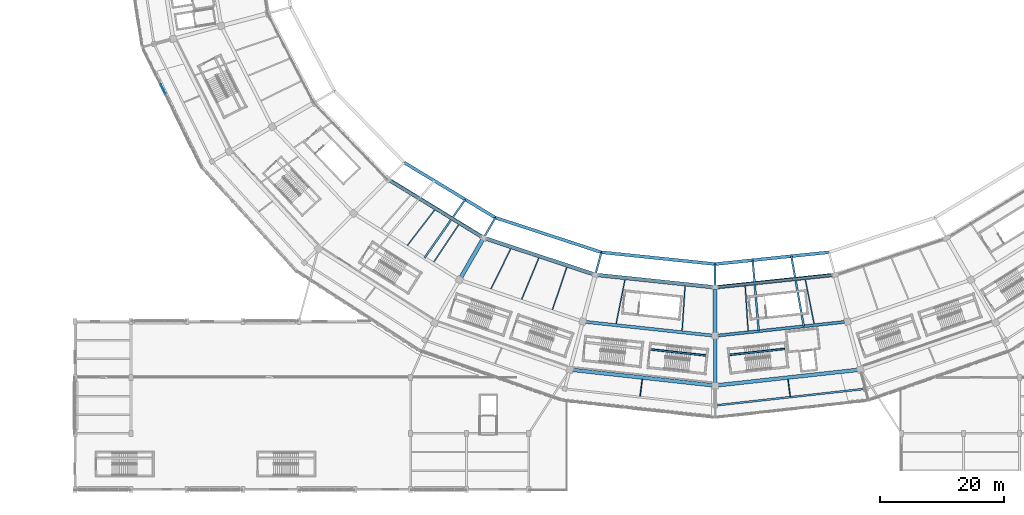
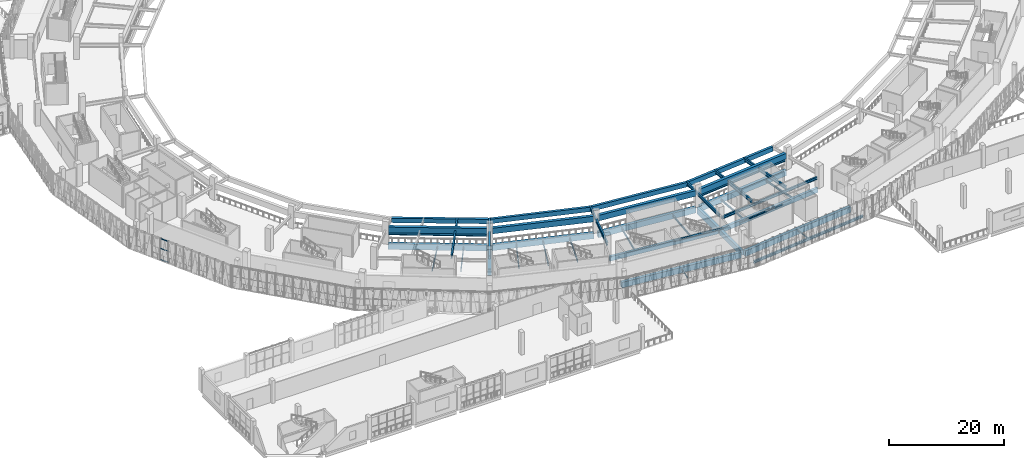
# One storey, part 18 of 179: 42 beams, 3 members, 1 element without a shape of its own.
"""IFC4 building model written with IfcOpenShell, lengths in metres."""

from ifc_helpers import new_model, si_unit, direction, frame, origin, origin_2d, place, context, subcontext, project, spatial, rectangle, i_section, extrude, material, material_profile, profile_set, type_object, element, aggregate, save


model = new_model("IFC4")

# Units and contexts
model_context = context("Model", 3, precision=1e-05, world=origin(), true_north=direction((0.0, 1.0)))
body_context = subcontext(model_context, "Body", "Model", "MODEL_VIEW")
ifc_project = project(units=[si_unit("LENGTHUNIT", "METRE"), si_unit("AREAUNIT", "SQUARE_METRE"), si_unit("VOLUMEUNIT", "CUBIC_METRE"), si_unit("PLANEANGLEUNIT", "RADIAN"), si_unit("MASSUNIT", "GRAM", prefix="KILO")], contexts=[model_context])

# Site, building, storey
site_placement = place(None, origin())
site = spatial("IfcSite", under=ifc_project, at=site_placement, CompositionType="ELEMENT")
building_placement = place(site_placement, origin())
building = spatial("IfcBuilding", under=site, at=building_placement, Name="Zevraka Park Crest Stadium", CompositionType="ELEMENT")
storey_placement = place(building_placement, frame((0.0, 0.0, 10.199951171875)))
storey = spatial("IfcBuildingStorey", under=building, at=storey_placement, Name="L02", CompositionType="ELEMENT", Elevation=10.199951171875)

# Beams
ifc_material_1 = material(Name="Concrete C40/50", Category="concrete")
ifc_material_profile_1 = material_profile(ifc_material_1, rectangle(XDim=0.64990234375, YDim=1.35009765625, at=origin_2d()), Name="RC 1350x650")
ifc_profile_set_1 = profile_set([ifc_material_profile_1], Name="Concrete C40/50")
beam_type_1 = type_object("IfcBeamType", Name="BG01", PredefinedType="BEAM", material=ifc_profile_set_1)
beam_1_placement = place(storey_placement, frame((74.60009765625, 40.2109375, -0.68505859375), z_axis=(-0.500041424909, -0.866001485781, 0.0), x_axis=(0.866001485781, -0.500041424909, 0.0)))
element("IfcBeam", 1, at=beam_1_placement, inside=storey, type_object=beam_type_1, Name="Radial Girder BG01 L02-BC-16", PredefinedType="BEAM", context=body_context, shape_type="SweptSolid", body=[
    extrude(rectangle(XDim=0.64990234375, YDim=1.35009765625, at=origin_2d()), origin(), (0.0, 0.0, 1.0), 7.19970703125),
])
beam_2_placement = place(storey_placement, frame((112.0, 32.199951171875, -0.68505859375), z_axis=(0.0, -1.0, 0.0), x_axis=(1.0, 0.0, 0.0)))
element("IfcBeam", 2, at=beam_2_placement, inside=storey, type_object=beam_type_1, Name="Radial Girder BG01 L02-BC-18", PredefinedType="BEAM", context=body_context, shape_type="SweptSolid", body=[
    extrude(rectangle(XDim=0.64990234375, YDim=1.35009765625, at=origin_2d()), origin(), (0.0, 0.0, 1.0), 7.199951171875),
])
ifc_material_2 = material(Name="Concrete C40/50", Category="concrete")
ifc_material_profile_2 = material_profile(ifc_material_2, rectangle(XDim=0.550048828125, YDim=1.10009765625, at=origin_2d()), Name="RC 1100x550")
ifc_profile_set_2 = profile_set([ifc_material_profile_2], Name="Concrete C40/50")
beam_type_2 = type_object("IfcBeamType", Name="BG02", PredefinedType="BEAM", material=ifc_profile_set_2)
beam_3_placement = place(storey_placement, frame((112.0, 24.39990234375, -0.56005859375), z_axis=(0.0, -1.0, 0.0), x_axis=(1.0, 0.0, 0.0)))
element("IfcBeam", 3, at=beam_3_placement, inside=storey, type_object=beam_type_2, Name="Radial Girder BG02 L02-CD-18", PredefinedType="BEAM", context=body_context, shape_type="SweptSolid", body=[
    extrude(rectangle(XDim=0.550048828125, YDim=1.10009765625, at=origin_2d()), origin(), (0.0, 0.0, 1.0), 7.39990234375),
])
ifc_material_3 = material(Name="Steel S355", Category="steel")
ifc_material_profile_3 = material_profile(ifc_material_3, i_section(OverallWidth=0.300048828125, OverallDepth=0.699951171875, WebThickness=0.01708984375, FlangeThickness=0.031982421875, at=origin_2d()), Name="HEB 700")
ifc_profile_set_3 = profile_set([ifc_material_profile_3], Name="Steel S355")
beam_type_3 = type_object("IfcBeamType", Name="BG06", PredefinedType="BEAM", material=ifc_profile_set_3)
beam_4_placement = place(storey_placement, frame((65.22509765625, 37.24609375, 2.670166015625), z_axis=(0.572704517581, 0.819761877341, 0.0), x_axis=(-0.819761877341, 0.572704517581, 0.0)))
element("IfcBeam", 4, at=beam_4_placement, inside=storey, type_object=beam_type_3, Name="Upper Tier Vomitory Cantilever Girder BG06 15-V2", PredefinedType="BEAM", context=body_context, shape_type="SweptSolid", body=[
    extrude(i_section(OverallWidth=0.300048828125, OverallDepth=0.699951171875, WebThickness=0.01708984375, FlangeThickness=0.031982421875, at=origin_2d()), origin(), (0.0, 0.0, 1.0), 11.463134765625),
])
beam_5_placement = place(storey_placement, frame((70.85009765625, 33.716064453125, 2.670166015625), z_axis=(0.499981051965, 0.866036343161, 0.0), x_axis=(-0.866036343161, 0.499981051965, 0.0)))
element("IfcBeam", 5, at=beam_5_placement, inside=storey, type_object=beam_type_3, Name="Upper Tier Back-Spanned Cantilever Girder BG06 16", PredefinedType="BEAM", context=body_context, shape_type="SweptSolid", body=[
    extrude(i_section(OverallWidth=0.300048828125, OverallDepth=0.699951171875, WebThickness=0.01708984375, FlangeThickness=0.031982421875, at=origin_2d()), origin(), (0.0, 0.0, 1.0), 11.55029296875),
])
beam_6_placement = place(storey_placement, frame((90.698974609375, 26.992919921875, 2.670166015625), z_axis=(0.258858286006, 0.965915310866, 0.0), x_axis=(-0.965915310866, 0.258858286006, 0.0)))
element("IfcBeam", 6, at=beam_6_placement, inside=storey, type_object=beam_type_3, Name="Upper Tier Back-Spanned Cantilever Girder BG06 17", PredefinedType="BEAM", context=body_context, shape_type="SweptSolid", body=[
    extrude(i_section(OverallWidth=0.300048828125, OverallDepth=0.699951171875, WebThickness=0.01708984375, FlangeThickness=0.031982421875, at=origin_2d()), origin(), (0.0, 0.0, 1.0), 11.55078125),
])
beam_7_placement = place(storey_placement, frame((112.0, 24.699951171875, 2.670166015625), z_axis=(0.0, 1.0, 0.0), x_axis=(-1.0, 0.0, 0.0)))
element("IfcBeam", 7, at=beam_7_placement, inside=storey, type_object=beam_type_3, Name="Upper Tier Back-Spanned Cantilever Girder BG06 18", PredefinedType="BEAM", context=body_context, shape_type="SweptSolid", body=[
    extrude(i_section(OverallWidth=0.300048828125, OverallDepth=0.699951171875, WebThickness=0.01708984375, FlangeThickness=0.031982421875, at=origin_2d()), origin(), (0.0, 0.0, 1.0), 11.550048828125),
])
beam_8_placement = place(storey_placement, frame((119.029052734375, 25.45703125, 2.670166015625), z_axis=(-0.086027587619, 0.996292755252, 0.0), x_axis=(-0.996292755252, -0.086027587619, 0.0)))
element("IfcBeam", 8, at=beam_8_placement, inside=storey, type_object=beam_type_3, Name="Upper Tier Vomitory Cantilever Girder BG06 18-V1", PredefinedType="BEAM", context=body_context, shape_type="SweptSolid", body=[
    extrude(i_section(OverallWidth=0.300048828125, OverallDepth=0.699951171875, WebThickness=0.01708984375, FlangeThickness=0.031982421875, at=origin_2d()), origin(), (0.0, 0.0, 1.0), 11.46240234375),
])
beam_9_placement = place(storey_placement, frame((126.27197265625, 26.236083984375, 2.670166015625), z_axis=(-0.174809447022, 0.984602283784, 0.0), x_axis=(-0.984602283784, -0.174809447022, 0.0)))
element("IfcBeam", 9, at=beam_9_placement, inside=storey, type_object=beam_type_3, Name="Upper Tier Vomitory Cantilever Girder BG06 18-V2", PredefinedType="BEAM", context=body_context, shape_type="SweptSolid", body=[
    extrude(i_section(OverallWidth=0.300048828125, OverallDepth=0.699951171875, WebThickness=0.01708984375, FlangeThickness=0.031982421875, at=origin_2d()), origin(), (0.0, 0.0, 1.0), 11.46337890625),
])

# Curtain wall, members
ifc_material_4 = material(Name="Anodised architectural aluminium and laminated safety glass", Category="aluminium")
curtain_wall_type = type_object("IfcCurtainWallType", Name="CW07", PredefinedType="NOTDEFINED", material=ifc_material_4)
curtain_wall_placement = place(storey_placement, origin())
curtain_wall = element("IfcCurtainWall", 10, at=curtain_wall_placement, inside=storey, type_object=curtain_wall_type, Name="Unitised Ring Curtain Wall CW07 L02-13", PredefinedType="NOTDEFINED")
ifc_material_5 = material(Name="Anodised architectural aluminium", Category="aluminium")
ifc_material_profile_4 = material_profile(ifc_material_5, rectangle(XDim=0.1201171875, YDim=0.06005859375, at=origin_2d()), Name="ALU TRANSOM 120x60")
ifc_profile_set_4 = profile_set([ifc_material_profile_4], Name="Anodised architectural aluminium")
member_type = type_object("IfcMemberType", Name="CT01", PredefinedType="USERDEFINED", material=ifc_profile_set_4)
member_1_placement = place(storey_placement, frame((22.798828125, 65.1513671875, 0.030029296875), z_axis=(0.440969299006, -0.897522187656, 0.0), x_axis=(0.897522187656, 0.440969299006, 0.0)))
member_1 = element("IfcMember", 11, at=member_1_placement, type_object=member_type, Name="CW07 transom 5.1", ObjectType="TRANSOM", PredefinedType="USERDEFINED", context=body_context, shape_type="SweptSolid", body=[
    extrude(rectangle(XDim=0.1201171875, YDim=0.06005859375, at=origin_2d()), origin(), (0.0, 0.0, 1.0), 1.582275390625),
])
member_2_placement = place(storey_placement, frame((22.798828125, 65.1513671875, 2.400146484375), z_axis=(0.440969299006, -0.897522187656, 0.0), x_axis=(0.897522187656, 0.440969299006, 0.0)))
member_2 = element("IfcMember", 12, at=member_2_placement, type_object=member_type, Name="CW07 transom 5.2", ObjectType="TRANSOM", PredefinedType="USERDEFINED", context=body_context, shape_type="SweptSolid", body=[
    extrude(rectangle(XDim=0.1201171875, YDim=0.06005859375, at=origin_2d()), origin(), (0.0, 0.0, 1.0), 1.582275390625),
])
member_3_placement = place(storey_placement, frame((22.798828125, 65.1513671875, 4.469970703125), z_axis=(0.440969299006, -0.897522187656, 0.0), x_axis=(0.897522187656, 0.440969299006, 0.0)))
member_3 = element("IfcMember", 13, at=member_3_placement, type_object=member_type, Name="CW07 transom 5.3", ObjectType="TRANSOM", PredefinedType="USERDEFINED", context=body_context, shape_type="SweptSolid", body=[
    extrude(rectangle(XDim=0.1201171875, YDim=0.06005859375, at=origin_2d()), origin(), (0.0, 0.0, 1.0), 1.582275390625),
])
aggregate(curtain_wall, [member_1, member_2, member_3])

# Beams
ifc_material_6 = material(Name="Concrete C40/50", Category="concrete")
ifc_material_profile_5 = material_profile(ifc_material_6, rectangle(XDim=0.60009765625, YDim=1.199951171875, at=origin_2d()), Name="RC 1200x600")
ifc_profile_set_5 = profile_set([ifc_material_profile_5], Name="Concrete C40/50")
beam_type_4 = type_object("IfcBeamType", Name="RB01", PredefinedType="BEAM", material=ifc_profile_set_5)
beam_10_placement = place(storey_placement, frame((59.64501953125, 49.72802734375, -0.60986328125), z_axis=(0.852632623571, -0.522510869956, 0.0), x_axis=(0.522510869956, 0.852632623571, 0.0)))
element("IfcBeam", 14, at=beam_10_placement, inside=storey, type_object=beam_type_4, Name="Ring Beam RB01 L02-B-15", PredefinedType="BEAM", context=body_context, shape_type="SweptSolid", body=[
    extrude(rectangle(XDim=0.60009765625, YDim=1.199951171875, at=origin_2d()), origin(), (0.0, 0.0, 1.0), 17.335693359375),
])
beam_11_placement = place(storey_placement, frame((75.111083984375, 40.35205078125, -0.60986328125), z_axis=(0.949383863235, -0.314118258349, 0.0), x_axis=(0.314118258349, 0.949383863235, 0.0)))
element("IfcBeam", 15, at=beam_11_placement, inside=storey, type_object=beam_type_4, Name="Ring Beam RB01 L02-B-16", PredefinedType="BEAM", context=body_context, shape_type="SweptSolid", body=[
    extrude(rectangle(XDim=0.60009765625, YDim=1.199951171875, at=origin_2d()), origin(), (0.0, 0.0, 1.0), 18.165283203125),
])
beam_12_placement = place(storey_placement, frame((93.095947265625, 34.487060546875, -0.60986328125), z_axis=(0.994522746434, -0.1045203656, 0.0), x_axis=(0.1045203656, 0.994522746434, 0.0)))
element("IfcBeam", 16, at=beam_12_placement, inside=storey, type_object=beam_type_4, Name="Ring Beam RB01 L02-B-17", PredefinedType="BEAM", context=body_context, shape_type="SweptSolid", body=[
    extrude(rectangle(XDim=0.60009765625, YDim=1.199951171875, at=origin_2d()), origin(), (0.0, 0.0, 1.0), 18.628173828125),
])
beam_13_placement = place(storey_placement, frame((89.007080078125, 19.22509765625, -0.60986328125), z_axis=(0.994021150509, -0.109187693174, 0.0), x_axis=(0.109187693174, 0.994021150509, 0.0)))
element("IfcBeam", 17, at=beam_13_placement, inside=storey, type_object=beam_type_4, Name="Ring Beam RB01 L02-D-17", PredefinedType="BEAM", context=body_context, shape_type="SweptSolid", body=[
    extrude(rectangle(XDim=0.60009765625, YDim=1.199951171875, at=origin_2d()), origin(), (0.0, 0.0, 1.0), 22.7509765625),
])
beam_14_placement = place(storey_placement, frame((112.3779296875, 32.5400390625, -0.60986328125), z_axis=(0.994522746434, 0.1045203656, 0.0), x_axis=(-0.1045203656, 0.994522746434, 0.0)))
element("IfcBeam", 18, at=beam_14_placement, inside=storey, type_object=beam_type_4, Name="Ring Beam RB01 L02-B-18", PredefinedType="BEAM", context=body_context, shape_type="SweptSolid", body=[
    extrude(rectangle(XDim=0.60009765625, YDim=1.199951171875, at=origin_2d()), origin(), (0.0, 0.0, 1.0), 18.628173828125),
])
beam_15_placement = place(storey_placement, frame((112.3779296875, 16.740966796875, -0.60986328125), z_axis=(0.994021150509, 0.109187693174, 0.0), x_axis=(-0.109187693174, 0.994021150509, 0.0)))
element("IfcBeam", 19, at=beam_15_placement, inside=storey, type_object=beam_type_4, Name="Ring Beam RB01 L02-D-18", PredefinedType="BEAM", context=body_context, shape_type="SweptSolid", body=[
    extrude(rectangle(XDim=0.60009765625, YDim=1.199951171875, at=origin_2d()), origin(), (0.0, 0.0, 1.0), 22.7509765625),
])
beam_16_placement = place(storey_placement, frame((59.678955078125, 49.7080078125, 2.965087890625), z_axis=(0.852592509161, -0.522576322964, 0.0), x_axis=(0.522576322964, 0.852592509161, 0.0)))
element("IfcBeam", 20, at=beam_16_placement, inside=storey, type_object=beam_type_4, Name="Upper Tier Fulcrum Raker Ring Beam RB01 15", PredefinedType="BEAM", context=body_context, shape_type="SweptSolid", body=[
    extrude(rectangle(XDim=0.60009765625, YDim=1.199951171875, at=origin_2d()), origin(), (0.0, 0.0, 1.0), 17.2568359375),
])
beam_17_placement = place(storey_placement, frame((75.14892578125, 40.339111328125, 2.965087890625), z_axis=(0.949397677667, -0.314076502845, 0.0), x_axis=(0.314076502845, 0.949397677667, 0.0)))
element("IfcBeam", 21, at=beam_17_placement, inside=storey, type_object=beam_type_4, Name="Upper Tier Fulcrum Raker Ring Beam RB01 16", PredefinedType="BEAM", context=body_context, shape_type="SweptSolid", body=[
    extrude(rectangle(XDim=0.60009765625, YDim=1.199951171875, at=origin_2d()), origin(), (0.0, 0.0, 1.0), 18.085205078125),
])
for number, where, z_axis, x_axis, name in (
    (22, (93.135986328125, 34.48291015625, 2.965087890625), (0.994520732881, -0.104539523004, 0.0), (0.104539523004, 0.994520732881, 0.0), "Upper Tier Fulcrum Raker Ring Beam RB01 17"),
    (23, (112.41796875, 32.5439453125, 2.965087890625), (0.994520732881, 0.104539523004, 0.0), (-0.104539523004, 0.994520732881, 0.0), "Upper Tier Fulcrum Raker Ring Beam RB01 18"),
):
    element("IfcBeam", number, at=place(storey_placement, frame(where, z_axis=z_axis, x_axis=x_axis)), inside=storey, type_object=beam_type_4, Name=name, PredefinedType="BEAM", context=body_context, shape_type="SweptSolid", body=[
        extrude(rectangle(XDim=0.60009765625, YDim=1.199951171875, at=origin_2d()), origin(), (0.0, 0.0, 1.0), 18.547607421875),
    ])
ifc_material_7 = material(Name="Concrete C40/50", Category="concrete")
ifc_material_profile_6 = material_profile(ifc_material_7, rectangle(XDim=0.5, YDim=0.949951171875, at=origin_2d()), Name="RC 950x500")
ifc_profile_set_6 = profile_set([ifc_material_profile_6], Name="Concrete C40/50")
beam_type_5 = type_object("IfcBeamType", Name="RB02", PredefinedType="BEAM", material=ifc_profile_set_6)
for number, where, z_axis, x_axis, name in (
    (24, (91.076904296875, 26.951904296875, -0.48486328125), (0.994259477334, -0.106995755668, 0.0), (0.106995755668, 0.994259477334, 0.0), "Ring Beam RB02 L02-C-17"),
    (25, (112.3779296875, 24.740966796875, -0.48486328125), (0.994259477334, 0.106995755668, 0.0), (-0.106995755668, 0.994259477334, 0.0), "Ring Beam RB02 L02-C-18"),
):
    element("IfcBeam", number, at=place(storey_placement, frame(where, z_axis=z_axis, x_axis=x_axis)), inside=storey, type_object=beam_type_5, Name=name, PredefinedType="BEAM", context=body_context, shape_type="SweptSolid", body=[
        extrude(rectangle(XDim=0.5, YDim=0.949951171875, at=origin_2d()), origin(), (0.0, 0.0, 1.0), 20.663818359375),
    ])
beam_18_placement = place(storey_placement, frame((61.98095703125, 52.573974609375, 2.400146484375), z_axis=(0.85571184536, -0.517452642964, 0.0), x_axis=(0.517452642964, 0.85571184536, 0.0)))
element("IfcBeam", 26, at=beam_18_placement, inside=storey, type_object=beam_type_5, Name="Upper Tier Front Nose Ring Beam RB02 15", PredefinedType="BEAM", context=body_context, shape_type="SweptSolid", body=[
    extrude(rectangle(XDim=0.5, YDim=0.949951171875, at=origin_2d()), origin(), (0.0, 0.0, 1.0), 17.102783203125),
])
beam_19_placement = place(storey_placement, frame((76.635009765625, 43.716064453125, 2.400146484375), z_axis=(0.950644645156, -0.31028174074, 0.0), x_axis=(0.31028174074, 0.950644645156, 0.0)))
element("IfcBeam", 27, at=beam_19_placement, inside=storey, type_object=beam_type_5, Name="Upper Tier Front Nose Ring Beam RB02 16", PredefinedType="BEAM", context=body_context, shape_type="SweptSolid", body=[
    extrude(rectangle(XDim=0.5, YDim=0.949951171875, at=origin_2d()), origin(), (0.0, 0.0, 1.0), 17.9287109375),
])
for number, where, z_axis, x_axis, name in (
    (28, (93.698974609375, 38.14892578125, 2.400146484375), (0.994659601054, -0.103209873713, 0.0), (0.103209873713, 0.994659601054, 0.0), "Upper Tier Front Nose Ring Beam RB02 17"),
    (29, (112.010009765625, 36.2509765625, 2.400146484375), (0.994659601054, 0.103209873713, 0.0), (-0.103209873713, 0.994659601054, 0.0), "Upper Tier Front Nose Ring Beam RB02 18"),
):
    element("IfcBeam", number, at=place(storey_placement, frame(where, z_axis=z_axis, x_axis=x_axis)), inside=storey, type_object=beam_type_5, Name=name, PredefinedType="BEAM", context=body_context, shape_type="SweptSolid", body=[
        extrude(rectangle(XDim=0.5, YDim=0.949951171875, at=origin_2d()), origin(), (0.0, 0.0, 1.0), 18.38916015625),
    ])
ifc_material_8 = material(Name="Steel S355", Category="steel")
ifc_material_profile_7 = material_profile(ifc_material_8, i_section(OverallWidth=0.300048828125, OverallDepth=0.550048828125, WebThickness=0.014892578125, FlangeThickness=0.029052734375, at=origin_2d()), Name="HEB 550")
ifc_profile_set_7 = profile_set([ifc_material_profile_7], Name="Steel S355")
beam_type_6 = type_object("IfcBeamType", Name="RB04", PredefinedType="BEAM", material=ifc_profile_set_7)
beam_20_placement = place(storey_placement, frame((112.347900390625, 13.5380859375, -0.5849609375), z_axis=(0.993942516724, 0.109901198576, 0.0), x_axis=(-0.109901198576, 0.993942516724, 0.0)))
element("IfcBeam", 30, at=beam_20_placement, inside=storey, type_object=beam_type_6, Name="Ring Beam RB04 L02-E-18", PredefinedType="BEAM", context=body_context, shape_type="SweptSolid", body=[
    extrude(i_section(OverallWidth=0.300048828125, OverallDepth=0.550048828125, WebThickness=0.014892578125, FlangeThickness=0.029052734375, at=origin_2d()), origin(), (0.0, 0.0, 1.0), 23.6474609375),
])
beam_21_placement = place(storey_placement, frame((59.662109375, 49.718017578125, 2.047119140625), z_axis=(0.852608758437, -0.522549811058, 0.0), x_axis=(0.522549811058, 0.852608758437, 0.0)))
element("IfcBeam", 31, at=beam_21_placement, inside=storey, type_object=beam_type_6, Name="Vomitory Cantilever Fulcrum Support Beam RB04 15", PredefinedType="BEAM", context=body_context, shape_type="SweptSolid", body=[
    extrude(i_section(OverallWidth=0.300048828125, OverallDepth=0.550048828125, WebThickness=0.014892578125, FlangeThickness=0.029052734375, at=origin_2d()), origin(), (0.0, 0.0, 1.0), 17.296142578125),
])
beam_22_placement = place(storey_placement, frame((112.39794921875, 32.5419921875, 2.047119140625), z_axis=(0.994521059156, 0.104536418994, 0.0), x_axis=(-0.104536418994, 0.994521059156, 0.0)))
element("IfcBeam", 32, at=beam_22_placement, inside=storey, type_object=beam_type_6, Name="Vomitory Cantilever Fulcrum Support Beam RB04 18", PredefinedType="BEAM", context=body_context, shape_type="SweptSolid", body=[
    extrude(i_section(OverallWidth=0.300048828125, OverallDepth=0.550048828125, WebThickness=0.014892578125, FlangeThickness=0.029052734375, at=origin_2d()), origin(), (0.0, 0.0, 1.0), 18.587890625),
])
beam_23_placement = place(storey_placement, frame((112.39794921875, 24.742919921875, 2.047119140625), z_axis=(0.99425740098, 0.107015048457, 0.0), x_axis=(-0.107015048457, 0.99425740098, 0.0)))
element("IfcBeam", 33, at=beam_23_placement, inside=storey, type_object=beam_type_6, Name="Vomitory Cantilever Anchor Support Beam RB04 18", PredefinedType="BEAM", context=body_context, shape_type="SweptSolid", body=[
    extrude(i_section(OverallWidth=0.300048828125, OverallDepth=0.550048828125, WebThickness=0.014892578125, FlangeThickness=0.029052734375, at=origin_2d()), origin(), (0.0, 0.0, 1.0), 20.62353515625),
])
ifc_material_9 = material(Name="Steel S355", Category="steel")
ifc_material_profile_8 = material_profile(ifc_material_9, i_section(OverallWidth=0.135009765625, OverallDepth=0.27001953125, WebThickness=0.006591796875, FlangeThickness=0.01025390625, at=origin_2d()), Name="IPE 270")
ifc_profile_set_8 = profile_set([ifc_material_profile_8], Name="Steel S355")
beam_type_7 = type_object("IfcBeamType", Name="SJ07", PredefinedType="JOIST", material=ifc_profile_set_8)
for number, where, z_axis, x_axis, name in (
    (34, (100.27587890625, 17.69091796875, -0.4228515625), (-0.13058389889, -0.991437262438, 0.0), (0.991437262438, -0.13058389889, 0.0), "Floor Joist SJ07 L02-DE-17-1"),
    (35, (123.72412109375, 17.69091796875, -0.4228515625), (0.13058389889, -0.991437262438, 0.0), (0.991437262438, 0.13058389889, 0.0), "Floor Joist SJ07 L02-DE-18-1"),
):
    element("IfcBeam", number, at=place(storey_placement, frame(where, z_axis=z_axis, x_axis=x_axis)), inside=storey, type_object=beam_type_7, Name=name, PredefinedType="JOIST", context=body_context, shape_type="SweptSolid", body=[
        extrude(i_section(OverallWidth=0.135009765625, OverallDepth=0.27001953125, WebThickness=0.006591796875, FlangeThickness=0.01025390625, at=origin_2d()), origin(), (0.0, 0.0, 1.0), 2.7333984375),
    ])
ifc_material_10 = material(Name="Steel S355", Category="steel")
ifc_material_profile_9 = material_profile(ifc_material_10, i_section(OverallWidth=0.179931640625, OverallDepth=0.39990234375, WebThickness=0.008544921875, FlangeThickness=0.013427734375, at=origin_2d()), Name="IPE 400")
ifc_profile_set_9 = profile_set([ifc_material_profile_9], Name="Steel S355")
beam_type_8 = type_object("IfcBeamType", Name="SJ09", PredefinedType="JOIST", material=ifc_profile_set_9)
beam_24_placement = place(storey_placement, frame((66.843994140625, 44.948974609375, -0.488037109375), z_axis=(-0.608774451346, -0.793343347731, 0.0), x_axis=(0.793343347731, -0.608774451346, 0.0)))
element("IfcBeam", 36, at=beam_24_placement, inside=storey, type_object=beam_type_8, Name="Floor Joist SJ09 L02-BC-15-2", PredefinedType="JOIST", context=body_context, shape_type="SweptSolid", body=[
    extrude(i_section(OverallWidth=0.179931640625, OverallDepth=0.39990234375, WebThickness=0.008544921875, FlangeThickness=0.013427734375, at=origin_2d()), origin(), (0.0, 0.0, 1.0), 7.17333984375),
])
beam_25_placement = place(storey_placement, frame((70.718017578125, 42.572998046875, -0.488037109375), z_axis=(-0.555366097338, -0.831605975164, 0.0), x_axis=(0.831605975164, -0.555366097338, 0.0)))
element("IfcBeam", 37, at=beam_25_placement, inside=storey, type_object=beam_type_8, Name="Floor Joist SJ09 L02-BC-15-3", PredefinedType="JOIST", context=body_context, shape_type="SweptSolid", body=[
    extrude(i_section(OverallWidth=0.179931640625, OverallDepth=0.39990234375, WebThickness=0.008544921875, FlangeThickness=0.013427734375, at=origin_2d()), origin(), (0.0, 0.0, 1.0), 7.189697265625),
])
beam_26_placement = place(storey_placement, frame((79.10302734375, 38.702880859375, -0.488037109375), z_axis=(-0.442549118131, -0.896744265686, 0.0), x_axis=(0.896744265686, -0.442549118131, 0.0)))
element("IfcBeam", 38, at=beam_26_placement, inside=storey, type_object=beam_type_8, Name="Floor Joist SJ09 L02-BC-16-1", PredefinedType="JOIST", context=body_context, shape_type="SweptSolid", body=[
    extrude(i_section(OverallWidth=0.179931640625, OverallDepth=0.39990234375, WebThickness=0.008544921875, FlangeThickness=0.013427734375, at=origin_2d()), origin(), (0.0, 0.0, 1.0), 7.1904296875),
])
beam_27_placement = place(storey_placement, frame((83.613037109375, 37.2080078125, -0.488037109375), z_axis=(-0.382700487371, -0.923872467912, 0.0), x_axis=(0.923872467912, -0.382700487371, 0.0)))
element("IfcBeam", 39, at=beam_27_placement, inside=storey, type_object=beam_type_8, Name="Floor Joist SJ09 L02-BC-16-2", PredefinedType="JOIST", context=body_context, shape_type="SweptSolid", body=[
    extrude(i_section(OverallWidth=0.179931640625, OverallDepth=0.39990234375, WebThickness=0.008544921875, FlangeThickness=0.013427734375, at=origin_2d()), origin(), (0.0, 0.0, 1.0), 7.173095703125),
])
beam_28_placement = place(storey_placement, frame((88.125, 35.715087890625, -0.488037109375), z_axis=(-0.321275682742, -0.946985710388, 0.0), x_axis=(0.946985710388, -0.321275682742, 0.0)))
element("IfcBeam", 40, at=beam_28_placement, inside=storey, type_object=beam_type_8, Name="Floor Joist SJ09 L02-BC-16-3", PredefinedType="JOIST", context=body_context, shape_type="SweptSolid", body=[
    extrude(i_section(OverallWidth=0.179931640625, OverallDepth=0.39990234375, WebThickness=0.008544921875, FlangeThickness=0.013427734375, at=origin_2d()), origin(), (0.0, 0.0, 1.0), 7.190185546875),
])
beam_29_placement = place(storey_placement, frame((97.47705078125, 33.7109375, -0.488037109375), z_axis=(-0.195423881122, -0.980718872403, 0.0), x_axis=(0.980718872403, -0.195423881122, 0.0)))
element("IfcBeam", 41, at=beam_29_placement, inside=storey, type_object=beam_type_8, Name="Floor Joist SJ09 L02-BC-17-1", PredefinedType="JOIST", context=body_context, shape_type="SweptSolid", body=[
    extrude(i_section(OverallWidth=0.179931640625, OverallDepth=0.39990234375, WebThickness=0.008544921875, FlangeThickness=0.013427734375, at=origin_2d()), origin(), (0.0, 0.0, 1.0), 7.189697265625),
])
for number, where, z_axis, x_axis, name in (
    (42, (107.158935546875, 32.69189453125, -0.488037109375), (-0.06510119131, -0.997878667419, 0.0), (0.997878667419, -0.06510119131, 0.0), "Floor Joist SJ09 L02-BC-17-3"),
    (43, (116.841064453125, 32.69189453125, -0.488037109375), (0.06510119131, -0.997878667419, 0.0), (0.997878667419, 0.06510119131, 0.0), "Floor Joist SJ09 L02-BC-18-1"),
):
    element("IfcBeam", number, at=place(storey_placement, frame(where, z_axis=z_axis, x_axis=x_axis)), inside=storey, type_object=beam_type_8, Name=name, PredefinedType="JOIST", context=body_context, shape_type="SweptSolid", body=[
        extrude(i_section(OverallWidth=0.179931640625, OverallDepth=0.39990234375, WebThickness=0.008544921875, FlangeThickness=0.013427734375, at=origin_2d()), origin(), (0.0, 0.0, 1.0), 7.18896484375),
    ])
beam_30_placement = place(storey_placement, frame((126.52294921875, 33.7109375, -0.488037109375), z_axis=(0.195423881122, -0.980718872403, 0.0), x_axis=(0.980718872403, 0.195423881122, 0.0)))
element("IfcBeam", 44, at=beam_30_placement, inside=storey, type_object=beam_type_8, Name="Floor Joist SJ09 L02-BC-18-3", PredefinedType="JOIST", context=body_context, shape_type="SweptSolid", body=[
    extrude(i_section(OverallWidth=0.179931640625, OverallDepth=0.39990234375, WebThickness=0.008544921875, FlangeThickness=0.013427734375, at=origin_2d()), origin(), (0.0, 0.0, 1.0), 7.189697265625),
])
ifc_material_11 = material(Name="Concrete C40/50", Category="concrete")
ifc_material_profile_10 = material_profile(ifc_material_11, rectangle(XDim=0.280029296875, YDim=0.199951171875, at=origin_2d()), Name="RC 200x280")
ifc_profile_set_10 = profile_set([ifc_material_profile_10], Name="Concrete C40/50")
beam_type_9 = type_object("IfcBeamType", Name="SJ13", PredefinedType="JOIST", material=ifc_profile_set_10)
for number, where, z_axis, x_axis, name in (
    (45, (114.22802734375, 21.62841796875, 2.300048828125), (0.994127809114, 0.108212287404, 0.0), (-0.108212287404, 0.994127809114, 0.0), "Stair Upper-Flight Longitudinal Stringer SJ13 ST19-L02"),
    (46, (101.52001953125, 22.527099609375, 2.300048828125), (0.994127809114, -0.108212287404, 0.0), (0.108212287404, 0.994127809114, 0.0), "Stair Upper-Flight Longitudinal Stringer SJ13 ST30-L02"),
):
    element("IfcBeam", number, at=place(storey_placement, frame(where, z_axis=z_axis, x_axis=x_axis)), inside=storey, type_object=beam_type_9, Name=name, PredefinedType="JOIST", context=body_context, shape_type="SweptSolid", body=[
        extrude(rectangle(XDim=0.280029296875, YDim=0.199951171875, at=origin_2d()), origin(), (0.0, 0.0, 1.0), 9.25),
    ])

save(model, "model.ifc")
